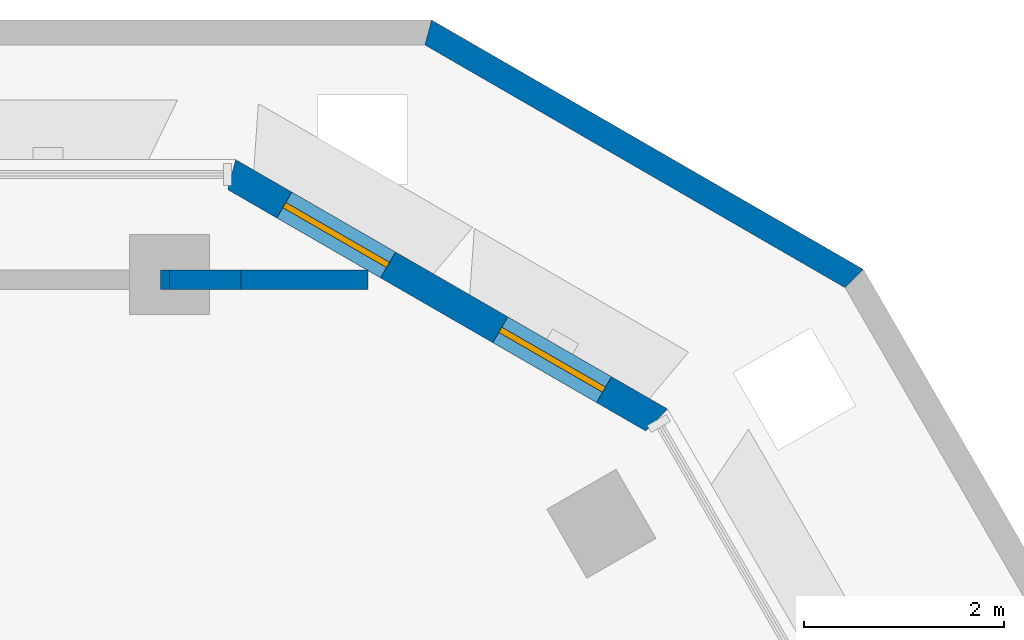
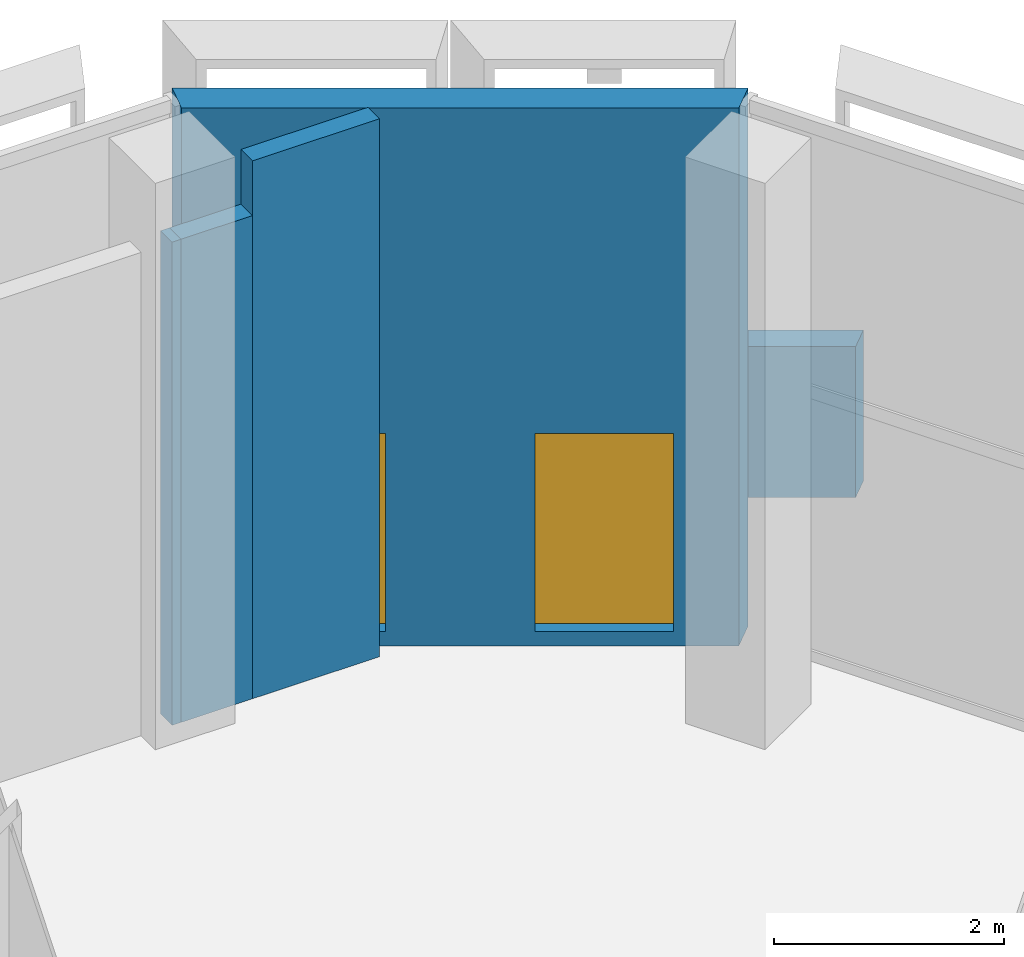
# One storey, part 12 of 23: 5 walls, 2 windows, 2 openings.
"""IFC4 building model written with IfcOpenShell, lengths in metres."""

from ifc_helpers import new_model, si_unit, direction, frame, frame_2d, origin, place, context, subcontext, project, spatial, polyline, rectangle, outline, extrude, material, layer, layer_set, type_object, element, fill, save


model = new_model("IFC4")

# Units and contexts
model_context = context("Model", 3, precision=1e-05, world=origin(), true_north=direction((0.0, 1.0)))
body_context = subcontext(model_context, "Body", "Model", "MODEL_VIEW")
ifc_project = project(units=[si_unit("LENGTHUNIT", "METRE"), si_unit("AREAUNIT", "SQUARE_METRE"), si_unit("VOLUMEUNIT", "CUBIC_METRE"), si_unit("PLANEANGLEUNIT", "RADIAN"), si_unit("MASSUNIT", "GRAM", prefix="KILO")], contexts=[model_context])

# Site, building, storey
site_placement = place(None, origin())
site = spatial("IfcSite", under=ifc_project, at=site_placement, CompositionType="ELEMENT")
building_placement = place(site_placement, origin())
building = spatial("IfcBuilding", under=site, at=building_placement, Name="Beryl Residences", CompositionType="ELEMENT")
storey_placement = place(building_placement, frame((0.0, 0.0, 157.199951171875)))
storey = spatial("IfcBuildingStorey", under=building, at=storey_placement, Name="L48", CompositionType="ELEMENT", Elevation=157.199951171875)

# Wall, openings, windows
ifc_material_1 = material(Name="Composite metal panel with mineral wool insulation")
ifc_layer_1 = layer(ifc_material_1, 0.300048828125)
ifc_layer_set_1 = layer_set([ifc_layer_1], Name="ES1 pale metal composite panel wall 300 mm")
wall_type_1 = type_object("IfcWallType", Name="ES1 pale metal composite panel wall 300 mm", PredefinedType="SOLIDWALL", material=ifc_layer_set_1)
wall_1_placement = place(storey_placement, frame((14.64697265625, 21.570068359375, 0.0), z_axis=(0.0, 0.0, 1.0), x_axis=(-0.866022959057, 0.500004234368, 0.0)))
wall_1 = element("IfcWall", 1, at=wall_1_placement, inside=storey, type_object=wall_type_1, Name="ES1 external wall L48 NE-N", PredefinedType="SOLIDWALL", context=body_context, shape_type="SweptSolid", body=[
    extrude(outline(polyline([(0.0, -0.14990234375), (5.0, -0.14990234375), (4.919677734375, 0.14990234375), (0.080322265625, 0.14990234375), (0.0, -0.14990234375)])), origin(), (0.0, 0.0, 1.0), 5.699951171875),
])
opening_1_placement = place(wall_1_placement, frame((0.64990234375, 0.0, 0.14990234375)))
opening_1 = element("IfcOpeningElement", 2, at=opening_1_placement, cuts=wall_1, Name="Opening W2", PredefinedType="OPENING", context=body_context, shape_type="SweptSolid", body=[
    extrude(rectangle(XDim=1.199951171875, YDim=2.10009765625, at=frame_2d((0.60009765625, 1.050048828125))), frame((0.0, 0.159912109375, 0.0), z_axis=(0.0, -1.0, 0.0), x_axis=(1.0, 0.0, 0.0)), (0.0, 0.0, 1.0), 0.320068359375),
])
opening_2_placement = place(wall_1_placement, frame((3.14990234375, 0.0, 0.14990234375)))
opening_2 = element("IfcOpeningElement", 3, at=opening_2_placement, cuts=wall_1, Name="Opening W2", PredefinedType="OPENING", context=body_context, shape_type="SweptSolid", body=[
    extrude(rectangle(XDim=1.199951171875, YDim=2.10009765625, at=frame_2d((0.60009765625, 1.050048828125))), frame((0.0, 0.159912109375, 0.0), z_axis=(0.0, -1.0, 0.0), x_axis=(1.0, 0.0, 0.0)), (0.0, 0.0, 1.0), 0.320068359375),
])
ifc_material_2 = material(Name="Aluminium and clear glass", Category="aluminium")
window_type = type_object("IfcWindowType", Name="W2 chamfer window 1200 x 2100 mm", PartitioningType="SINGLE_PANEL", PredefinedType="WINDOW", material=ifc_material_2)
window_1_placement = place(opening_1_placement, origin())
window_1 = element("IfcWindow", 4, at=window_1_placement, inside=storey, type_object=window_type, Name="W2 window L48 NE-N 1", OverallHeight=2.10009765625, OverallWidth=1.199951171875, PartitioningType="SINGLE_PANEL", PredefinedType="WINDOW", context=body_context, shape_type="SweptSolid", body=[
    extrude(rectangle(XDim=1.199951171875, YDim=2.10009765625, at=frame_2d((0.60009765625, 1.050048828125))), frame((0.0, 0.030029296875, 0.0), z_axis=(0.0, -1.0, 0.0), x_axis=(1.0, 0.0, 0.0)), (0.0, 0.0, 1.0), 0.06005859375),
])
fill(opening_1, window_1)
window_2_placement = place(opening_2_placement, origin())
window_2 = element("IfcWindow", 5, at=window_2_placement, inside=storey, type_object=window_type, Name="W2 window L48 NE-N 2", OverallHeight=2.10009765625, OverallWidth=1.199951171875, PartitioningType="SINGLE_PANEL", PredefinedType="WINDOW", context=body_context, shape_type="SweptSolid", body=[
    extrude(rectangle(XDim=1.199951171875, YDim=2.10009765625, at=frame_2d((0.60009765625, 1.050048828125))), frame((0.0, 0.030029296875, 0.0), z_axis=(0.0, -1.0, 0.0), x_axis=(1.0, 0.0, 0.0)), (0.0, 0.0, 1.0), 0.06005859375),
])
fill(opening_2, window_2)

# Walls
ifc_material_3 = material(Name="Precast concrete C40/50", Category="concrete")
ifc_layer_2 = layer(ifc_material_3, 0.25)
ifc_layer_set_2 = layer_set([ifc_layer_2], Name="PA1 roof parapet 250 mm")
wall_type_2 = type_object("IfcWallType", Name="PA1 roof parapet 250 mm", PredefinedType="PARAPET", material=ifc_layer_set_2)
wall_2_placement = place(storey_placement, frame((12.29296875, 25.491943359375, 0.0), z_axis=(0.0, 0.0, 1.0), x_axis=(0.865889515344, -0.500235291855, 0.0)))
element("IfcWall", 6, at=wall_2_placement, inside=storey, type_object=wall_type_2, Name="PA1 parapet L48 strip 1", PredefinedType="PARAPET", context=body_context, shape_type="SweptSolid", body=[
    extrude(outline(polyline([(0.06689453125, -0.125), (4.9326171875, -0.125), (4.99951171875, 0.125), (0.0, 0.125), (0.06689453125, -0.125)])), origin(), (0.0, 0.0, 1.0), 1.60009765625),
])
ifc_material_4 = material(Name="Double stud gypsum board wall")
ifc_layer_3 = layer(ifc_material_4, 0.199951171875)
ifc_layer_set_3 = layer_set([ifc_layer_3], Name="PT4 corridor wall 200 mm double stud")
wall_type_3 = type_object("IfcWallType", Name="PT4 corridor wall 200 mm double stud", PredefinedType="PARTITIONING", material=ifc_layer_set_3)
wall_3_placement = place(storey_placement, frame((9.638916015625, 22.99609375, 0.0), z_axis=(0.0, 0.0, 1.0), x_axis=(1.0, 0.0, 0.0)))
element("IfcWall", 7, at=wall_3_placement, inside=storey, type_object=wall_type_3, Name="Wall PT4 L48 014", PredefinedType="PARTITIONING", context=body_context, shape_type="SweptSolid", body=[
    extrude(rectangle(XDim=0.089111328125, YDim=0.199951171875, at=frame_2d((0.04443359375, 0.0))), origin(), (0.0, 0.0, 1.0), 5.1201171875),
])
wall_4_placement = place(storey_placement, frame((9.72802734375, 22.99609375, 0.0), z_axis=(0.0, 0.0, 1.0), x_axis=(1.0, 0.0, 0.0)))
element("IfcWall", 8, at=wall_4_placement, inside=storey, type_object=wall_type_3, Name="Wall PT4 L48 015", PredefinedType="PARTITIONING", context=body_context, shape_type="SweptSolid", body=[
    extrude(rectangle(XDim=0.717041015625, YDim=0.199951171875, at=frame_2d((0.3583984375, 0.0))), origin(), (0.0, 0.0, 1.0), 5.1201171875),
])
wall_5_placement = place(storey_placement, frame((10.445068359375, 22.99609375, 0.0), z_axis=(0.0, 0.0, 1.0), x_axis=(1.0, 0.0, 0.0)))
element("IfcWall", 9, at=wall_5_placement, inside=storey, type_object=wall_type_3, Name="Wall PT4 L48 016", PredefinedType="PARTITIONING", context=body_context, shape_type="SweptSolid", body=[
    extrude(rectangle(XDim=1.27197265625, YDim=0.199951171875, at=frame_2d((0.635986328125, 0.0))), origin(), (0.0, 0.0, 1.0), 5.699951171875),
])

save(model, "model.ifc")
